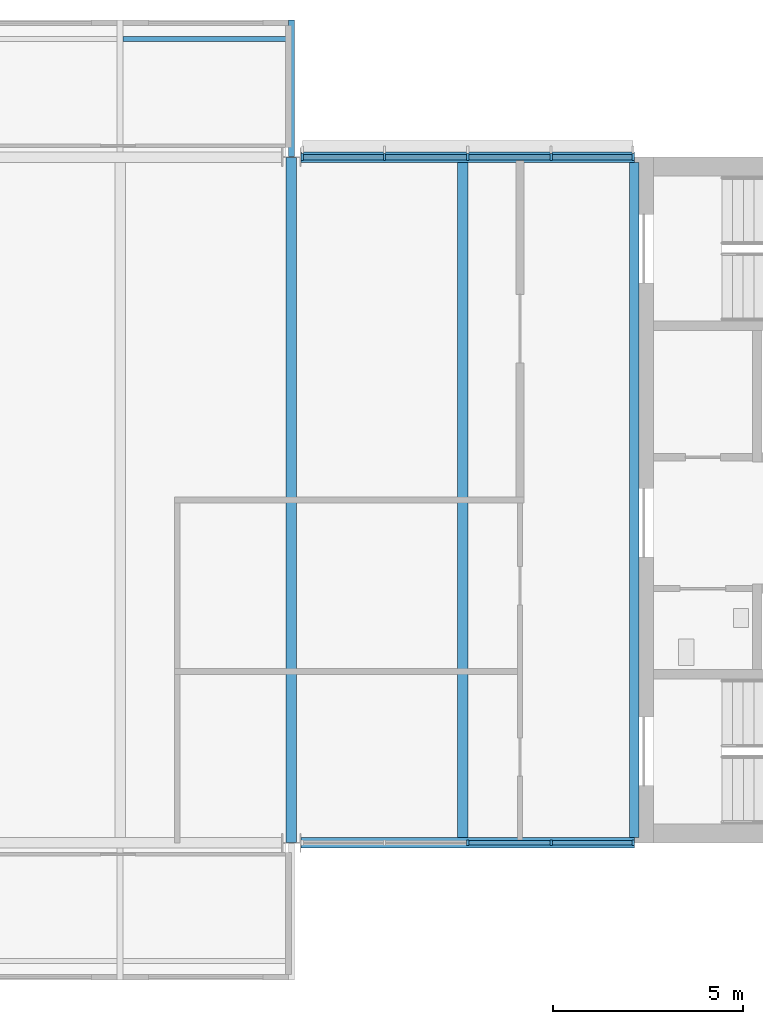
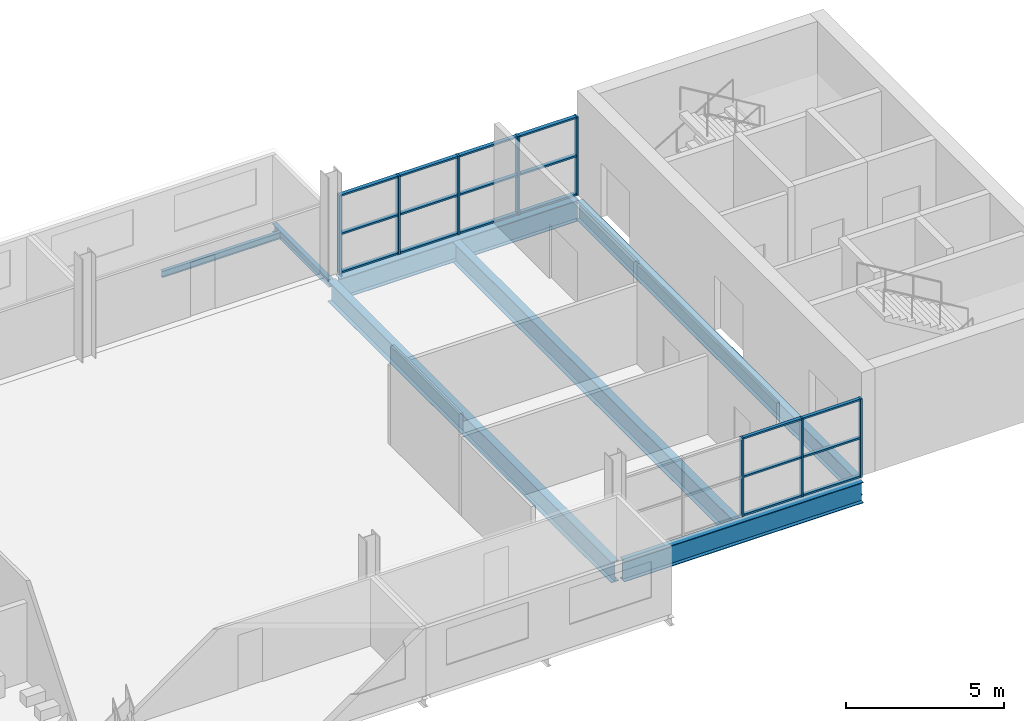
# One storey, part 3 of 10: 26 members, 7 beams, 2 elements without a shape of their own.
"""IFC4 building model written with IfcOpenShell, lengths in metres."""

from ifc_helpers import new_model, si_unit, direction, frame, origin, origin_2d, place, context, subcontext, project, spatial, rectangle, i_section, extrude, material, layer, layer_set, material_profile, profile_set, type_object, element, aggregate, save


model = new_model("IFC4")

# Units and contexts
model_context = context("Model", 3, precision=1e-05, world=origin(), true_north=direction((0.0, 1.0)))
body_context = subcontext(model_context, "Body", "Model", "MODEL_VIEW")
ifc_project = project(units=[si_unit("LENGTHUNIT", "METRE"), si_unit("AREAUNIT", "SQUARE_METRE"), si_unit("VOLUMEUNIT", "CUBIC_METRE"), si_unit("PLANEANGLEUNIT", "RADIAN"), si_unit("MASSUNIT", "GRAM", prefix="KILO")], contexts=[model_context])

# Site, building, storey
site_placement = place(None, origin())
site = spatial("IfcSite", under=ifc_project, at=site_placement, CompositionType="ELEMENT")
building_placement = place(site_placement, origin())
building = spatial("IfcBuilding", under=site, at=building_placement, Name="Corbel Yard City Hall", CompositionType="ELEMENT")
storey_placement = place(building_placement, frame((0.0, 0.0, 23.199951171875)))
storey = spatial("IfcBuildingStorey", under=building, at=storey_placement, Name="L05", CompositionType="ELEMENT", Elevation=23.199951171875)

# Beams
ifc_material_1 = material(Name="Steel Grade 350", Category="steel")
ifc_material_profile_1 = material_profile(ifc_material_1, i_section(OverallWidth=0.27490234375, OverallDepth=0.81005859375, WebThickness=0.010009765625, FlangeThickness=0.02490234375, at=origin_2d()), Name="800WB168")
ifc_profile_set_1 = profile_set([ifc_material_profile_1], Name="Steel Grade 350")
beam_type_1 = type_object("IfcBeamType", Name="Edge beam 800WB168", PredefinedType="BEAM", material=ifc_profile_set_1)
for number, where, z_axis, x_axis, name in (
    (1, (36.257080078125, 99.0, -0.554931640625), (1.0, 0.0, 0.0), (0.0, 1.0, 0.0), "Edge beam 800WB168 EB3 L05tower"),
    (2, (36.257080078125, 117.0, -0.554931640625), (1.0, 0.0, 0.0), (0.0, 1.0, 0.0), "Edge beam 800WB168 EB3 L05tower"),
):
    element("IfcBeam", number, at=place(storey_placement, frame(where, z_axis=z_axis, x_axis=x_axis)), inside=storey, type_object=beam_type_1, Name=name, PredefinedType="BEAM", context=body_context, shape_type="SweptSolid", body=[
        extrude(i_section(OverallWidth=0.27490234375, OverallDepth=0.81005859375, WebThickness=0.010009765625, FlangeThickness=0.02490234375, at=origin_2d()), origin(), (0.0, 0.0, 1.0), 8.742919921875),
    ])
ifc_material_profile_2 = material_profile(ifc_material_1, i_section(OverallWidth=0.27490234375, OverallDepth=0.800048828125, WebThickness=0.010009765625, FlangeThickness=0.02001953125, at=origin_2d()), Name="800WB146")
ifc_profile_set_2 = profile_set([ifc_material_profile_2], Name="Steel Grade 350")
beam_type_2 = type_object("IfcBeamType", Name="Long-span beam 800WB146", PredefinedType="BEAM", material=ifc_profile_set_2)
beam_1_placement = place(storey_placement, frame((36.0, 99.012451171875, -0.550048828125), z_axis=(0.0, 1.0, 0.0), x_axis=(-1.0, 0.0, 0.0)))
element("IfcBeam", 3, at=beam_1_placement, inside=storey, type_object=beam_type_2, Name="Long-span beam 800WB146 SB8 L05tower", PredefinedType="BEAM", context=body_context, shape_type="SweptSolid", body=[
    extrude(i_section(OverallWidth=0.27490234375, OverallDepth=0.800048828125, WebThickness=0.010009765625, FlangeThickness=0.02001953125, at=origin_2d()), origin(), (0.0, 0.0, 1.0), 17.97509765625),
])
ifc_material_profile_3 = material_profile(ifc_material_1, i_section(OverallWidth=0.25, OverallDepth=0.7099609375, WebThickness=0.010009765625, FlangeThickness=0.02490234375, at=origin_2d()), Name="700WB150")
ifc_profile_set_3 = profile_set([ifc_material_profile_3], Name="Steel Grade 350")
beam_type_3 = type_object("IfcBeamType", Name="Long-span edge beam 700WB150", PredefinedType="BEAM", material=ifc_profile_set_3)
beam_2_placement = place(storey_placement, frame((45.0, 99.137451171875, -0.5048828125), z_axis=(0.0, 1.0, 0.0), x_axis=(-1.0, 0.0, 0.0)))
element("IfcBeam", 4, at=beam_2_placement, inside=storey, type_object=beam_type_3, Name="Long-span edge beam 700WB150 EB8 L05tower", PredefinedType="BEAM", context=body_context, shape_type="SweptSolid", body=[
    extrude(i_section(OverallWidth=0.25, OverallDepth=0.7099609375, WebThickness=0.010009765625, FlangeThickness=0.02490234375, at=origin_2d()), origin(), (0.0, 0.0, 1.0), 17.72509765625),
])
ifc_material_profile_4 = material_profile(ifc_material_1, i_section(OverallWidth=0.27490234375, OverallDepth=0.800048828125, WebThickness=0.010009765625, FlangeThickness=0.02001953125, at=origin_2d()), Name="800WB146")
ifc_profile_set_4 = profile_set([ifc_material_profile_4], Name="Steel Grade 350")
beam_type_4 = type_object("IfcBeamType", Name="Long-span secondary beam 800WB146", PredefinedType="JOIST", material=ifc_profile_set_4)
beam_3_placement = place(storey_placement, frame((40.5, 99.137451171875, -0.550048828125), z_axis=(0.0, 1.0, 0.0), x_axis=(-1.0, 0.0, 0.0)))
element("IfcBeam", 5, at=beam_3_placement, inside=storey, type_object=beam_type_4, Name="Long-span secondary beam 800WB146 SB7 L05tower", PredefinedType="JOIST", context=body_context, shape_type="SweptSolid", body=[
    extrude(i_section(OverallWidth=0.27490234375, OverallDepth=0.800048828125, WebThickness=0.010009765625, FlangeThickness=0.02001953125, at=origin_2d()), origin(), (0.0, 0.0, 1.0), 17.72509765625),
])

# Curtain wall, members
ifc_material_2 = material(Name="Aluminium extrusion", Category="aluminium")
ifc_layer_1 = layer(ifc_material_2, 0.14990234375)
ifc_layer_set_1 = layer_set([ifc_layer_1], Name="Aluminium extrusion")
curtain_wall_type_1 = type_object("IfcCurtainWallType", Name="CW2", PredefinedType="USERDEFINED", material=ifc_layer_set_1)
curtain_wall_1_placement = place(storey_placement, origin())
curtain_wall_1 = element("IfcCurtainWall", 6, at=curtain_wall_1_placement, inside=storey, type_object=curtain_wall_type_1, Name="Curtain wall CW2 L05", ObjectType="CURTAIN WALL", PredefinedType="USERDEFINED")
ifc_material_profile_5 = material_profile(ifc_material_2, rectangle(XDim=0.14990234375, YDim=0.06494140625, at=origin_2d()), Name="150x65")
ifc_profile_set_5 = profile_set([ifc_material_profile_5], Name="Aluminium extrusion")
member_type_1 = type_object("IfcMemberType", Name="ML2", PredefinedType="MULLION", material=ifc_profile_set_5)
member_1_placement = place(storey_placement, frame((40.62841796875, 99.0, 0.0), z_axis=(0.0, 0.0, 1.0), x_axis=(0.0, 1.0, 0.0)))
member_1 = element("IfcMember", 7, at=member_1_placement, type_object=member_type_1, Name="CW2 mullion 3", PredefinedType="MULLION", context=body_context, shape_type="SweptSolid", body=[
    extrude(rectangle(XDim=0.14990234375, YDim=0.06494140625, at=origin_2d()), origin(), (0.0, 0.0, 1.0), 3.0400390625),
])
member_2_placement = place(storey_placement, frame((42.814208984375, 99.0, 0.0), z_axis=(0.0, 0.0, 1.0), x_axis=(0.0, 1.0, 0.0)))
member_2 = element("IfcMember", 8, at=member_2_placement, type_object=member_type_1, Name="CW2 mullion 4", PredefinedType="MULLION", context=body_context, shape_type="SweptSolid", body=[
    extrude(rectangle(XDim=0.14990234375, YDim=0.06494140625, at=origin_2d()), origin(), (0.0, 0.0, 1.0), 3.0400390625),
])
member_3_placement = place(storey_placement, frame((44.967529296875, 99.0, 0.0), z_axis=(0.0, 0.0, 1.0), x_axis=(0.0, 1.0, 0.0)))
member_3 = element("IfcMember", 9, at=member_3_placement, type_object=member_type_1, Name="CW2 mullion 5", PredefinedType="MULLION", context=body_context, shape_type="SweptSolid", body=[
    extrude(rectangle(XDim=0.14990234375, YDim=0.06494140625, at=origin_2d()), origin(), (0.0, 0.0, 1.0), 3.0400390625),
])

ifc_layer_2 = layer(ifc_material_2, 0.179931640625)
ifc_layer_set_2 = layer_set([ifc_layer_2], Name="Aluminium extrusion")
curtain_wall_type_2 = type_object("IfcCurtainWallType", Name="CW6", PredefinedType="USERDEFINED", material=ifc_layer_set_2)
curtain_wall_2_placement = place(storey_placement, origin())
curtain_wall_2 = element("IfcCurtainWall", 10, at=curtain_wall_2_placement, inside=storey, type_object=curtain_wall_type_2, Name="Curtain wall CW6 L05", ObjectType="CURTAIN WALL", PredefinedType="USERDEFINED")
ifc_material_profile_6 = material_profile(ifc_material_2, rectangle(XDim=0.179931640625, YDim=0.06494140625, at=origin_2d()), Name="180x65")
ifc_profile_set_6 = profile_set([ifc_material_profile_6], Name="Aluminium extrusion")
member_type_2 = type_object("IfcMemberType", Name="ML6", PredefinedType="MULLION", material=ifc_profile_set_6)
member_4_placement = place(storey_placement, frame((36.28955078125, 117.0, 0.0), z_axis=(0.0, 0.0, 1.0), x_axis=(0.0, 1.0, 0.0)))
member_4 = element("IfcMember", 11, at=member_4_placement, type_object=member_type_2, Name="CW6 mullion 1", PredefinedType="MULLION", context=body_context, shape_type="SweptSolid", body=[
    extrude(rectangle(XDim=0.179931640625, YDim=0.06494140625, at=origin_2d()), origin(), (0.0, 0.0, 1.0), 3.0400390625),
])
member_5_placement = place(storey_placement, frame((38.44287109375, 117.0, 0.0), z_axis=(0.0, 0.0, 1.0), x_axis=(0.0, 1.0, 0.0)))
member_5 = element("IfcMember", 12, at=member_5_placement, type_object=member_type_2, Name="CW6 mullion 2", PredefinedType="MULLION", context=body_context, shape_type="SweptSolid", body=[
    extrude(rectangle(XDim=0.179931640625, YDim=0.06494140625, at=origin_2d()), origin(), (0.0, 0.0, 1.0), 3.0400390625),
])
member_6_placement = place(storey_placement, frame((40.62841796875, 117.0, 0.0), z_axis=(0.0, 0.0, 1.0), x_axis=(0.0, 1.0, 0.0)))
member_6 = element("IfcMember", 13, at=member_6_placement, type_object=member_type_2, Name="CW6 mullion 3", PredefinedType="MULLION", context=body_context, shape_type="SweptSolid", body=[
    extrude(rectangle(XDim=0.179931640625, YDim=0.06494140625, at=origin_2d()), origin(), (0.0, 0.0, 1.0), 3.0400390625),
])
member_7_placement = place(storey_placement, frame((42.814208984375, 117.0, 0.0), z_axis=(0.0, 0.0, 1.0), x_axis=(0.0, 1.0, 0.0)))
member_7 = element("IfcMember", 14, at=member_7_placement, type_object=member_type_2, Name="CW6 mullion 4", PredefinedType="MULLION", context=body_context, shape_type="SweptSolid", body=[
    extrude(rectangle(XDim=0.179931640625, YDim=0.06494140625, at=origin_2d()), origin(), (0.0, 0.0, 1.0), 3.0400390625),
])
member_8_placement = place(storey_placement, frame((44.967529296875, 117.0, 0.0), z_axis=(0.0, 0.0, 1.0), x_axis=(0.0, 1.0, 0.0)))
member_8 = element("IfcMember", 15, at=member_8_placement, type_object=member_type_2, Name="CW6 mullion 5", PredefinedType="MULLION", context=body_context, shape_type="SweptSolid", body=[
    extrude(rectangle(XDim=0.179931640625, YDim=0.06494140625, at=origin_2d()), origin(), (0.0, 0.0, 1.0), 3.0400390625),
])

# Beams
ifc_material_3 = material(Name="Steel Grade 300 (300 MPa yield)", Category="steel")
ifc_material_profile_7 = material_profile(ifc_material_3, i_section(OverallWidth=0.166015625, OverallDepth=0.306884765625, WebThickness=0.006591796875, FlangeThickness=0.01171875, at=origin_2d()), Name="310UB46.2")
ifc_profile_set_7 = profile_set([ifc_material_profile_7], Name="Steel Grade 300 (300 MPa yield)")
beam_type_5 = type_object("IfcBeamType", Name="Pod stub beam 310UB46.2", PredefinedType="BEAM", material=ifc_profile_set_7)
beam_4_placement = place(storey_placement, frame((36.0, 117.012451171875, -0.303466796875), z_axis=(0.0, 1.0, 0.0), x_axis=(-1.0, 0.0, 0.0)))
element("IfcBeam", 16, at=beam_4_placement, inside=storey, type_object=beam_type_5, Name="Pod stub 310UB46.2 CB1 L05", PredefinedType="BEAM", context=body_context, shape_type="SweptSolid", body=[
    extrude(i_section(OverallWidth=0.166015625, OverallDepth=0.306884765625, WebThickness=0.006591796875, FlangeThickness=0.01171875, at=origin_2d()), origin(), (0.0, 0.0, 1.0), 3.587646484375),
])
ifc_material_profile_8 = material_profile(ifc_material_3, i_section(OverallWidth=0.1240234375, OverallDepth=0.248046875, WebThickness=0.0048828125, FlangeThickness=0.008056640625, at=origin_2d()), Name="250UB25.7")
ifc_profile_set_8 = profile_set([ifc_material_profile_8], Name="Steel Grade 300 (300 MPa yield)")
beam_type_6 = type_object("IfcBeamType", Name="Pod tip beam", PredefinedType="BEAM", material=ifc_profile_set_8)
beam_5_placement = place(storey_placement, frame((31.5830078125, 120.10009765625, -0.27392578125), z_axis=(1.0, 0.0, 0.0), x_axis=(0.0, 1.0, 0.0)))
element("IfcBeam", 17, at=beam_5_placement, inside=storey, type_object=beam_type_6, Name="Pod tip beam", PredefinedType="BEAM", context=body_context, shape_type="SweptSolid", body=[
    extrude(i_section(OverallWidth=0.1240234375, OverallDepth=0.248046875, WebThickness=0.0048828125, FlangeThickness=0.008056640625, at=origin_2d()), origin(), (0.0, 0.0, 1.0), 4.333984375),
])

# Member
ifc_material_profile_9 = material_profile(ifc_material_2, rectangle(XDim=0.1201171875, YDim=0.06494140625, at=origin_2d()), Name="120x65")
ifc_profile_set_9 = profile_set([ifc_material_profile_9], Name="Aluminium extrusion")
member_type_3 = type_object("IfcMemberType", Name="TR2", PredefinedType="USERDEFINED", material=ifc_profile_set_9)
member_9_placement = place(storey_placement, frame((40.660888671875, 99.0, 0.032470703125), z_axis=(1.0, 0.0, 0.0), x_axis=(0.0, 1.0, 0.0)))
member_9 = element("IfcMember", 18, at=member_9_placement, type_object=member_type_3, Name="CW2 transom 3.1", ObjectType="TRANSOM", PredefinedType="USERDEFINED", context=body_context, shape_type="SweptSolid", body=[
    extrude(rectangle(XDim=0.1201171875, YDim=0.06494140625, at=origin_2d()), origin(), (0.0, 0.0, 1.0), 2.120849609375),
])

member_10_placement = place(storey_placement, frame((40.660888671875, 99.0, 1.52001953125), z_axis=(1.0, 0.0, 0.0), x_axis=(0.0, 1.0, 0.0)))
member_10 = element("IfcMember", 19, at=member_10_placement, type_object=member_type_3, Name="CW2 transom 3.2", ObjectType="TRANSOM", PredefinedType="USERDEFINED", context=body_context, shape_type="SweptSolid", body=[
    extrude(rectangle(XDim=0.1201171875, YDim=0.06494140625, at=origin_2d()), origin(), (0.0, 0.0, 1.0), 2.120849609375),
])

member_11_placement = place(storey_placement, frame((40.660888671875, 99.0, 3.007568359375), z_axis=(1.0, 0.0, 0.0), x_axis=(0.0, 1.0, 0.0)))
member_11 = element("IfcMember", 20, at=member_11_placement, type_object=member_type_3, Name="CW2 transom 3.3", ObjectType="TRANSOM", PredefinedType="USERDEFINED", context=body_context, shape_type="SweptSolid", body=[
    extrude(rectangle(XDim=0.1201171875, YDim=0.06494140625, at=origin_2d()), origin(), (0.0, 0.0, 1.0), 2.120849609375),
])

member_12_placement = place(storey_placement, frame((42.8466796875, 99.0, 0.032470703125), z_axis=(1.0, 0.0, 0.0), x_axis=(0.0, 1.0, 0.0)))
member_12 = element("IfcMember", 21, at=member_12_placement, type_object=member_type_3, Name="CW2 transom 4.1", ObjectType="TRANSOM", PredefinedType="USERDEFINED", context=body_context, shape_type="SweptSolid", body=[
    extrude(rectangle(XDim=0.1201171875, YDim=0.06494140625, at=origin_2d()), origin(), (0.0, 0.0, 1.0), 2.08837890625),
])

member_13_placement = place(storey_placement, frame((42.8466796875, 99.0, 1.52001953125), z_axis=(1.0, 0.0, 0.0), x_axis=(0.0, 1.0, 0.0)))
member_13 = element("IfcMember", 22, at=member_13_placement, type_object=member_type_3, Name="CW2 transom 4.2", ObjectType="TRANSOM", PredefinedType="USERDEFINED", context=body_context, shape_type="SweptSolid", body=[
    extrude(rectangle(XDim=0.1201171875, YDim=0.06494140625, at=origin_2d()), origin(), (0.0, 0.0, 1.0), 2.08837890625),
])

member_14_placement = place(storey_placement, frame((42.8466796875, 99.0, 3.007568359375), z_axis=(1.0, 0.0, 0.0), x_axis=(0.0, 1.0, 0.0)))
member_14 = element("IfcMember", 23, at=member_14_placement, type_object=member_type_3, Name="CW2 transom 4.3", ObjectType="TRANSOM", PredefinedType="USERDEFINED", context=body_context, shape_type="SweptSolid", body=[
    extrude(rectangle(XDim=0.1201171875, YDim=0.06494140625, at=origin_2d()), origin(), (0.0, 0.0, 1.0), 2.08837890625),
])

aggregate(curtain_wall_1, [member_1, member_2, member_3, member_9, member_10, member_11, member_12, member_13, member_14])

ifc_material_profile_10 = material_profile(ifc_material_2, rectangle(XDim=0.139892578125, YDim=0.06494140625, at=origin_2d()), Name="140x65")
ifc_profile_set_10 = profile_set([ifc_material_profile_10], Name="Aluminium extrusion")
member_type_4 = type_object("IfcMemberType", Name="TR6", PredefinedType="USERDEFINED", material=ifc_profile_set_10)
member_15_placement = place(storey_placement, frame((36.322021484375, 117.0, 0.032470703125), z_axis=(1.0, 0.0, 0.0), x_axis=(0.0, 1.0, 0.0)))
member_15 = element("IfcMember", 24, at=member_15_placement, type_object=member_type_4, Name="CW6 transom 1.1", ObjectType="TRANSOM", PredefinedType="USERDEFINED", context=body_context, shape_type="SweptSolid", body=[
    extrude(rectangle(XDim=0.139892578125, YDim=0.06494140625, at=origin_2d()), origin(), (0.0, 0.0, 1.0), 2.088134765625),
])

member_16_placement = place(storey_placement, frame((36.322021484375, 117.0, 1.52001953125), z_axis=(1.0, 0.0, 0.0), x_axis=(0.0, 1.0, 0.0)))
member_16 = element("IfcMember", 25, at=member_16_placement, type_object=member_type_4, Name="CW6 transom 1.2", ObjectType="TRANSOM", PredefinedType="USERDEFINED", context=body_context, shape_type="SweptSolid", body=[
    extrude(rectangle(XDim=0.139892578125, YDim=0.06494140625, at=origin_2d()), origin(), (0.0, 0.0, 1.0), 2.088134765625),
])

member_17_placement = place(storey_placement, frame((36.322021484375, 117.0, 3.007568359375), z_axis=(1.0, 0.0, 0.0), x_axis=(0.0, 1.0, 0.0)))
member_17 = element("IfcMember", 26, at=member_17_placement, type_object=member_type_4, Name="CW6 transom 1.3", ObjectType="TRANSOM", PredefinedType="USERDEFINED", context=body_context, shape_type="SweptSolid", body=[
    extrude(rectangle(XDim=0.139892578125, YDim=0.06494140625, at=origin_2d()), origin(), (0.0, 0.0, 1.0), 2.088134765625),
])

member_18_placement = place(storey_placement, frame((38.475341796875, 117.0, 0.032470703125), z_axis=(1.0, 0.0, 0.0), x_axis=(0.0, 1.0, 0.0)))
member_18 = element("IfcMember", 27, at=member_18_placement, type_object=member_type_4, Name="CW6 transom 2.1", ObjectType="TRANSOM", PredefinedType="USERDEFINED", context=body_context, shape_type="SweptSolid", body=[
    extrude(rectangle(XDim=0.139892578125, YDim=0.06494140625, at=origin_2d()), origin(), (0.0, 0.0, 1.0), 2.12060546875),
])

member_19_placement = place(storey_placement, frame((38.475341796875, 117.0, 1.52001953125), z_axis=(1.0, 0.0, 0.0), x_axis=(0.0, 1.0, 0.0)))
member_19 = element("IfcMember", 28, at=member_19_placement, type_object=member_type_4, Name="CW6 transom 2.2", ObjectType="TRANSOM", PredefinedType="USERDEFINED", context=body_context, shape_type="SweptSolid", body=[
    extrude(rectangle(XDim=0.139892578125, YDim=0.06494140625, at=origin_2d()), origin(), (0.0, 0.0, 1.0), 2.12060546875),
])

member_20_placement = place(storey_placement, frame((38.475341796875, 117.0, 3.007568359375), z_axis=(1.0, 0.0, 0.0), x_axis=(0.0, 1.0, 0.0)))
member_20 = element("IfcMember", 29, at=member_20_placement, type_object=member_type_4, Name="CW6 transom 2.3", ObjectType="TRANSOM", PredefinedType="USERDEFINED", context=body_context, shape_type="SweptSolid", body=[
    extrude(rectangle(XDim=0.139892578125, YDim=0.06494140625, at=origin_2d()), origin(), (0.0, 0.0, 1.0), 2.12060546875),
])

member_21_placement = place(storey_placement, frame((40.660888671875, 117.0, 0.032470703125), z_axis=(1.0, 0.0, 0.0), x_axis=(0.0, 1.0, 0.0)))
member_21 = element("IfcMember", 30, at=member_21_placement, type_object=member_type_4, Name="CW6 transom 3.1", ObjectType="TRANSOM", PredefinedType="USERDEFINED", context=body_context, shape_type="SweptSolid", body=[
    extrude(rectangle(XDim=0.139892578125, YDim=0.06494140625, at=origin_2d()), origin(), (0.0, 0.0, 1.0), 2.120849609375),
])

member_22_placement = place(storey_placement, frame((40.660888671875, 117.0, 1.52001953125), z_axis=(1.0, 0.0, 0.0), x_axis=(0.0, 1.0, 0.0)))
member_22 = element("IfcMember", 31, at=member_22_placement, type_object=member_type_4, Name="CW6 transom 3.2", ObjectType="TRANSOM", PredefinedType="USERDEFINED", context=body_context, shape_type="SweptSolid", body=[
    extrude(rectangle(XDim=0.139892578125, YDim=0.06494140625, at=origin_2d()), origin(), (0.0, 0.0, 1.0), 2.120849609375),
])

member_23_placement = place(storey_placement, frame((40.660888671875, 117.0, 3.007568359375), z_axis=(1.0, 0.0, 0.0), x_axis=(0.0, 1.0, 0.0)))
member_23 = element("IfcMember", 32, at=member_23_placement, type_object=member_type_4, Name="CW6 transom 3.3", ObjectType="TRANSOM", PredefinedType="USERDEFINED", context=body_context, shape_type="SweptSolid", body=[
    extrude(rectangle(XDim=0.139892578125, YDim=0.06494140625, at=origin_2d()), origin(), (0.0, 0.0, 1.0), 2.120849609375),
])

member_24_placement = place(storey_placement, frame((42.8466796875, 117.0, 0.032470703125), z_axis=(1.0, 0.0, 0.0), x_axis=(0.0, 1.0, 0.0)))
member_24 = element("IfcMember", 33, at=member_24_placement, type_object=member_type_4, Name="CW6 transom 4.1", ObjectType="TRANSOM", PredefinedType="USERDEFINED", context=body_context, shape_type="SweptSolid", body=[
    extrude(rectangle(XDim=0.139892578125, YDim=0.06494140625, at=origin_2d()), origin(), (0.0, 0.0, 1.0), 2.08837890625),
])

member_25_placement = place(storey_placement, frame((42.8466796875, 117.0, 1.52001953125), z_axis=(1.0, 0.0, 0.0), x_axis=(0.0, 1.0, 0.0)))
member_25 = element("IfcMember", 34, at=member_25_placement, type_object=member_type_4, Name="CW6 transom 4.2", ObjectType="TRANSOM", PredefinedType="USERDEFINED", context=body_context, shape_type="SweptSolid", body=[
    extrude(rectangle(XDim=0.139892578125, YDim=0.06494140625, at=origin_2d()), origin(), (0.0, 0.0, 1.0), 2.08837890625),
])

member_26_placement = place(storey_placement, frame((42.8466796875, 117.0, 3.007568359375), z_axis=(1.0, 0.0, 0.0), x_axis=(0.0, 1.0, 0.0)))
member_26 = element("IfcMember", 35, at=member_26_placement, type_object=member_type_4, Name="CW6 transom 4.3", ObjectType="TRANSOM", PredefinedType="USERDEFINED", context=body_context, shape_type="SweptSolid", body=[
    extrude(rectangle(XDim=0.139892578125, YDim=0.06494140625, at=origin_2d()), origin(), (0.0, 0.0, 1.0), 2.08837890625),
])

aggregate(curtain_wall_2, [member_4, member_5, member_6, member_7, member_8, member_15, member_16, member_17, member_18, member_19, member_20, member_21, member_22, member_23, member_24, member_25, member_26])

save(model, "model.ifc")
